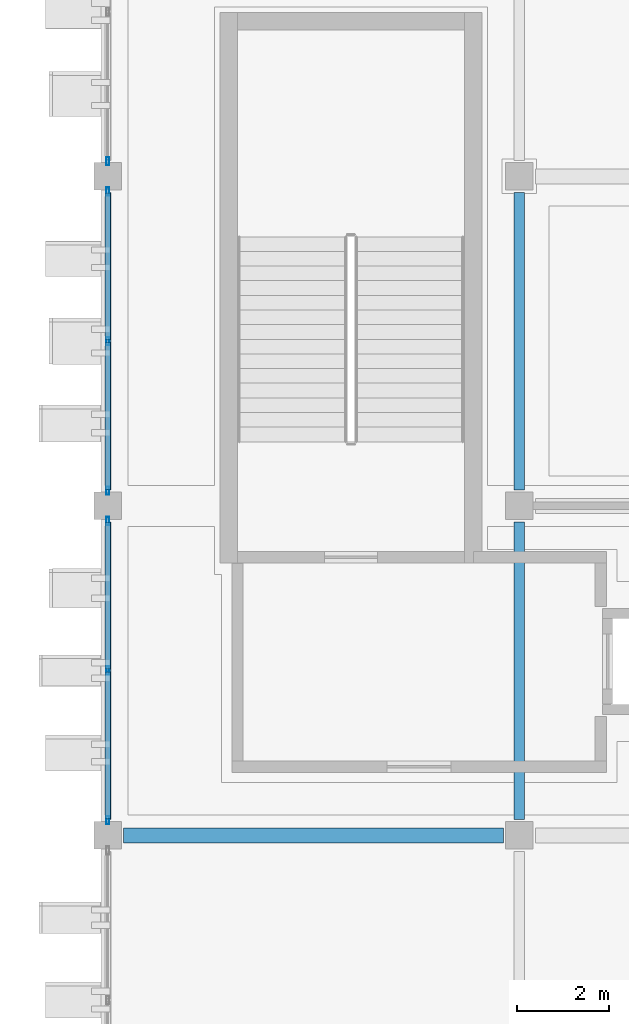
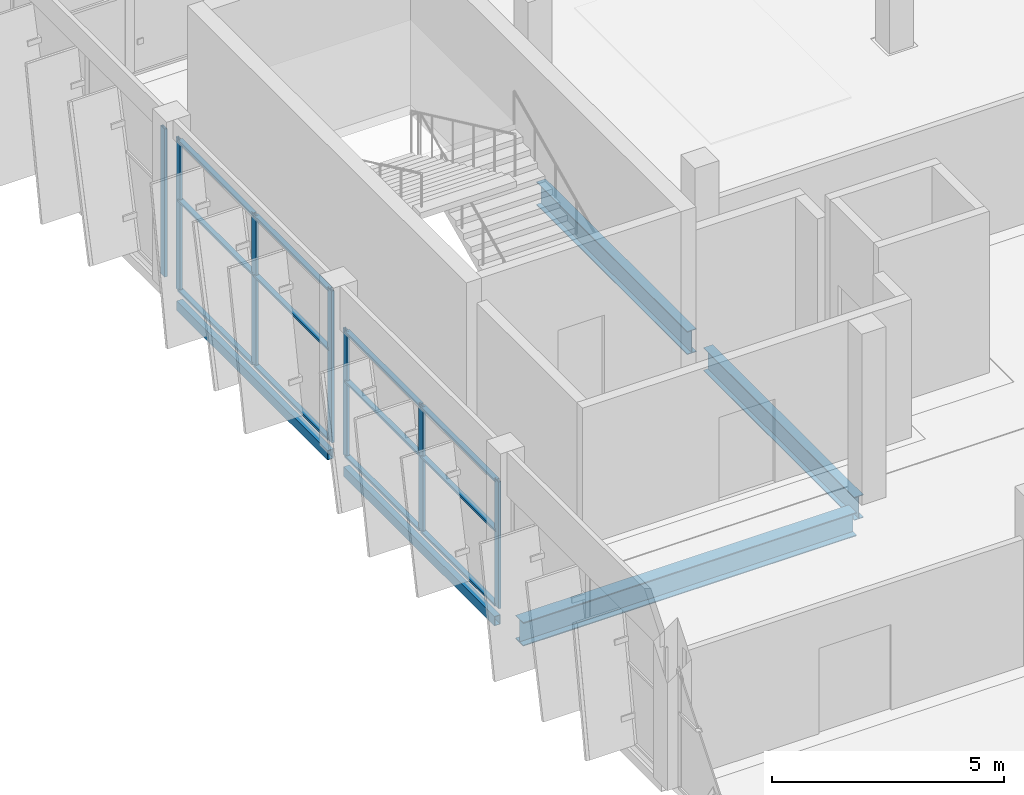
# One storey, part 63 of 124: 19 members, 5 beams, 3 elements without a shape of their own.
"""IFC4 building model written with IfcOpenShell, lengths in metres."""

from ifc_helpers import new_model, si_unit, direction, frame, origin, origin_2d, place, context, subcontext, project, spatial, hollow_rectangle, i_section, extrude, material, layer, layer_set, material_profile, profile_set, type_object, element, aggregate, save


model = new_model("IFC4")

# Units and contexts
model_context = context("Model", 3, precision=1e-05, world=origin(), true_north=direction((0.0, 1.0)))
body_context = subcontext(model_context, "Body", "Model", "MODEL_VIEW")
ifc_project = project(units=[si_unit("LENGTHUNIT", "METRE"), si_unit("AREAUNIT", "SQUARE_METRE"), si_unit("VOLUMEUNIT", "CUBIC_METRE"), si_unit("PLANEANGLEUNIT", "RADIAN"), si_unit("MASSUNIT", "GRAM", prefix="KILO")], contexts=[model_context])

# Site, building, storey
site_placement = place(None, origin())
site = spatial("IfcSite", under=ifc_project, at=site_placement, CompositionType="ELEMENT")
building_placement = place(site_placement, origin())
building = spatial("IfcBuilding", under=site, at=building_placement, Name="Celestram Park Convention Centre", CompositionType="ELEMENT")
storey_placement = place(building_placement, frame((0.0, 0.0, 15.300048828125)))
storey = spatial("IfcBuildingStorey", under=building, at=storey_placement, Name="L03", CompositionType="ELEMENT", Elevation=15.300048828125)

# Curtain wall, members
ifc_material_1 = material(Name="Anodised Aluminium Alloy 6063-T6", Category="aluminium")
ifc_layer_1 = layer(ifc_material_1, 0.179931640625)
ifc_layer_set_1 = layer_set([ifc_layer_1], Name="Anodised Aluminium Alloy 6063-T6")
curtain_wall_type_1 = type_object("IfcCurtainWallType", Name="ARC-CW-660X334", PredefinedType="NOTDEFINED", material=ifc_layer_set_1)
curtain_wall_1_placement = place(storey_placement, origin())
curtain_wall_1 = element("IfcCurtainWall", 1, at=curtain_wall_1_placement, inside=storey, type_object=curtain_wall_type_1, Name="Unitised curtain wall CU-L03-200", PredefinedType="NOTDEFINED")
ifc_material_profile_1 = material_profile(ifc_material_1, hollow_rectangle(XDim=0.06494140625, YDim=0.179931640625, WallThickness=0.00390625, at=origin_2d()), Name="ALU65X180X4")
ifc_profile_set_1 = profile_set([ifc_material_profile_1], Name="Anodised Aluminium Alloy 6063-T6")
member_type_1 = type_object("IfcMemberType", Name="ARC-CWM-150", PredefinedType="MULLION", material=ifc_profile_set_1)
member_1_placement = place(storey_placement, frame((36.0, 144.33056640625, 0.0), z_axis=(0.0, 0.0, 1.0), x_axis=(-1.0, 0.0, 0.0)))
member_1 = element("IfcMember", 2, at=member_1_placement, type_object=member_type_1, Name="CW-66X33 mullion 1", PredefinedType="MULLION", context=body_context, shape_type="SweptSolid", body=[
    extrude(hollow_rectangle(XDim=0.06494140625, YDim=0.179931640625, WallThickness=0.00390625, at=origin_2d()), origin(), (0.0, 0.0, 1.0), 3.3359375),
])
member_2_placement = place(storey_placement, frame((36.0, 147.60009765625, 0.0), z_axis=(0.0, 0.0, 1.0), x_axis=(-1.0, 0.0, 0.0)))
member_2 = element("IfcMember", 3, at=member_2_placement, type_object=member_type_1, Name="CW-66X33 mullion 2", PredefinedType="MULLION", context=body_context, shape_type="SweptSolid", body=[
    extrude(hollow_rectangle(XDim=0.06494140625, YDim=0.179931640625, WallThickness=0.00390625, at=origin_2d()), origin(), (0.0, 0.0, 1.0), 3.3359375),
])
member_3_placement = place(storey_placement, frame((36.0, 150.869384765625, 0.0), z_axis=(0.0, 0.0, 1.0), x_axis=(-1.0, 0.0, 0.0)))
member_3 = element("IfcMember", 4, at=member_3_placement, type_object=member_type_1, Name="CW-66X33 mullion 3", PredefinedType="MULLION", context=body_context, shape_type="SweptSolid", body=[
    extrude(hollow_rectangle(XDim=0.06494140625, YDim=0.179931640625, WallThickness=0.00390625, at=origin_2d()), origin(), (0.0, 0.0, 1.0), 3.3359375),
])

ifc_layer_2 = layer(ifc_material_1, 0.179931640625)
ifc_layer_set_2 = layer_set([ifc_layer_2], Name="Anodised Aluminium Alloy 6063-T6")
curtain_wall_type_2 = type_object("IfcCurtainWallType", Name="ARC-CW-660X400", PredefinedType="NOTDEFINED", material=ifc_layer_set_2)
curtain_wall_2_placement = place(storey_placement, origin())
curtain_wall_2 = element("IfcCurtainWall", 5, at=curtain_wall_2_placement, inside=storey, type_object=curtain_wall_type_2, Name="Unitised curtain wall CU-L03-201", PredefinedType="NOTDEFINED")
member_4_placement = place(storey_placement, frame((36.0, 151.530517578125, 0.0), z_axis=(0.0, 0.0, 1.0), x_axis=(-1.0, 0.0, 0.0)))
member_4 = element("IfcMember", 6, at=member_4_placement, type_object=member_type_1, Name="CW-66X40 mullion 1", PredefinedType="MULLION", context=body_context, shape_type="SweptSolid", body=[
    extrude(hollow_rectangle(XDim=0.06494140625, YDim=0.179931640625, WallThickness=0.00390625, at=origin_2d()), origin(), (0.0, 0.0, 1.0), 4.0),
])
member_5_placement = place(storey_placement, frame((36.0, 154.800048828125, 0.0), z_axis=(0.0, 0.0, 1.0), x_axis=(-1.0, 0.0, 0.0)))
member_5 = element("IfcMember", 7, at=member_5_placement, type_object=member_type_1, Name="CW-66X40 mullion 2", PredefinedType="MULLION", context=body_context, shape_type="SweptSolid", body=[
    extrude(hollow_rectangle(XDim=0.06494140625, YDim=0.179931640625, WallThickness=0.00390625, at=origin_2d()), origin(), (0.0, 0.0, 1.0), 4.0),
])
member_6_placement = place(storey_placement, frame((36.0, 158.069580078125, 0.0), z_axis=(0.0, 0.0, 1.0), x_axis=(-1.0, 0.0, 0.0)))
member_6 = element("IfcMember", 8, at=member_6_placement, type_object=member_type_1, Name="CW-66X40 mullion 3", PredefinedType="MULLION", context=body_context, shape_type="SweptSolid", body=[
    extrude(hollow_rectangle(XDim=0.06494140625, YDim=0.179931640625, WallThickness=0.00390625, at=origin_2d()), origin(), (0.0, 0.0, 1.0), 4.0),
])

# Curtain wall, member
ifc_layer_3 = layer(ifc_material_1, 0.179931640625)
ifc_layer_set_3 = layer_set([ifc_layer_3], Name="Anodised Aluminium Alloy 6063-T6")
curtain_wall_type_3 = type_object("IfcCurtainWallType", Name="ARC-CW-660X389", PredefinedType="NOTDEFINED", material=ifc_layer_set_3)
curtain_wall_3_placement = place(storey_placement, origin())
curtain_wall_3 = element("IfcCurtainWall", 9, at=curtain_wall_3_placement, inside=storey, type_object=curtain_wall_type_3, Name="Unitised curtain wall CU-L03-202", PredefinedType="NOTDEFINED")
member_7_placement = place(storey_placement, frame((36.0, 158.73046875, 0.0), z_axis=(0.0, 0.0, 1.0), x_axis=(-1.0, 0.0, 0.0)))
member_7 = element("IfcMember", 10, at=member_7_placement, type_object=member_type_1, Name="CW-66X38 mullion 1", PredefinedType="MULLION", context=body_context, shape_type="SweptSolid", body=[
    extrude(hollow_rectangle(XDim=0.06494140625, YDim=0.179931640625, WallThickness=0.00390625, at=origin_2d()), origin(), (0.0, 0.0, 1.0), 3.89404296875),
])
aggregate(curtain_wall_3, [member_7])

# Member
ifc_material_profile_2 = material_profile(ifc_material_1, hollow_rectangle(XDim=0.1201171875, YDim=0.06005859375, WallThickness=0.0029296875, at=origin_2d()), Name="ALU120X60X3")
ifc_profile_set_2 = profile_set([ifc_material_profile_2], Name="Anodised Aluminium Alloy 6063-T6")
member_type_2 = type_object("IfcMemberType", Name="ARC-CWT-120", PredefinedType="USERDEFINED", material=ifc_profile_set_2)
member_8_placement = place(storey_placement, frame((36.0, 144.363037109375, 0.030029296875), z_axis=(0.0, 1.0, 0.0), x_axis=(-1.0, 0.0, 0.0)))
member_8 = element("IfcMember", 11, at=member_8_placement, type_object=member_type_2, Name="CW-66X33 transom 1.1", ObjectType="TRANSOM", PredefinedType="USERDEFINED", context=body_context, shape_type="SweptSolid", body=[
    extrude(hollow_rectangle(XDim=0.1201171875, YDim=0.06005859375, WallThickness=0.0029296875, at=origin_2d()), origin(), (0.0, 0.0, 1.0), 3.204345703125),
])

member_9_placement = place(storey_placement, frame((36.0, 144.363037109375, 2.001953125), z_axis=(0.0, 1.0, 0.0), x_axis=(-1.0, 0.0, 0.0)))
member_9 = element("IfcMember", 12, at=member_9_placement, type_object=member_type_2, Name="CW-66X33 transom 1.2", ObjectType="TRANSOM", PredefinedType="USERDEFINED", context=body_context, shape_type="SweptSolid", body=[
    extrude(hollow_rectangle(XDim=0.1201171875, YDim=0.06005859375, WallThickness=0.0029296875, at=origin_2d()), origin(), (0.0, 0.0, 1.0), 3.204345703125),
])

member_10_placement = place(storey_placement, frame((36.0, 144.363037109375, 3.305908203125), z_axis=(0.0, 1.0, 0.0), x_axis=(-1.0, 0.0, 0.0)))
member_10 = element("IfcMember", 13, at=member_10_placement, type_object=member_type_2, Name="CW-66X33 transom 1.3", ObjectType="TRANSOM", PredefinedType="USERDEFINED", context=body_context, shape_type="SweptSolid", body=[
    extrude(hollow_rectangle(XDim=0.1201171875, YDim=0.06005859375, WallThickness=0.0029296875, at=origin_2d()), origin(), (0.0, 0.0, 1.0), 3.204345703125),
])

member_11_placement = place(storey_placement, frame((36.0, 147.632568359375, 0.030029296875), z_axis=(0.0, 1.0, 0.0), x_axis=(-1.0, 0.0, 0.0)))
member_11 = element("IfcMember", 14, at=member_11_placement, type_object=member_type_2, Name="CW-66X33 transom 2.1", ObjectType="TRANSOM", PredefinedType="USERDEFINED", context=body_context, shape_type="SweptSolid", body=[
    extrude(hollow_rectangle(XDim=0.1201171875, YDim=0.06005859375, WallThickness=0.0029296875, at=origin_2d()), origin(), (0.0, 0.0, 1.0), 3.204345703125),
])

member_12_placement = place(storey_placement, frame((36.0, 147.632568359375, 2.001953125), z_axis=(0.0, 1.0, 0.0), x_axis=(-1.0, 0.0, 0.0)))
member_12 = element("IfcMember", 15, at=member_12_placement, type_object=member_type_2, Name="CW-66X33 transom 2.2", ObjectType="TRANSOM", PredefinedType="USERDEFINED", context=body_context, shape_type="SweptSolid", body=[
    extrude(hollow_rectangle(XDim=0.1201171875, YDim=0.06005859375, WallThickness=0.0029296875, at=origin_2d()), origin(), (0.0, 0.0, 1.0), 3.204345703125),
])

member_13_placement = place(storey_placement, frame((36.0, 147.632568359375, 3.305908203125), z_axis=(0.0, 1.0, 0.0), x_axis=(-1.0, 0.0, 0.0)))
member_13 = element("IfcMember", 16, at=member_13_placement, type_object=member_type_2, Name="CW-66X33 transom 2.3", ObjectType="TRANSOM", PredefinedType="USERDEFINED", context=body_context, shape_type="SweptSolid", body=[
    extrude(hollow_rectangle(XDim=0.1201171875, YDim=0.06005859375, WallThickness=0.0029296875, at=origin_2d()), origin(), (0.0, 0.0, 1.0), 3.204345703125),
])

aggregate(curtain_wall_1, [member_1, member_2, member_3, member_8, member_9, member_10, member_11, member_12, member_13])

member_14_placement = place(storey_placement, frame((36.0, 151.56298828125, 0.030029296875), z_axis=(0.0, 1.0, 0.0), x_axis=(-1.0, 0.0, 0.0)))
member_14 = element("IfcMember", 17, at=member_14_placement, type_object=member_type_2, Name="CW-66X40 transom 1.1", ObjectType="TRANSOM", PredefinedType="USERDEFINED", context=body_context, shape_type="SweptSolid", body=[
    extrude(hollow_rectangle(XDim=0.1201171875, YDim=0.06005859375, WallThickness=0.0029296875, at=origin_2d()), origin(), (0.0, 0.0, 1.0), 3.20458984375),
])

member_15_placement = place(storey_placement, frame((36.0, 151.56298828125, 2.39990234375), z_axis=(0.0, 1.0, 0.0), x_axis=(-1.0, 0.0, 0.0)))
member_15 = element("IfcMember", 18, at=member_15_placement, type_object=member_type_2, Name="CW-66X40 transom 1.2", ObjectType="TRANSOM", PredefinedType="USERDEFINED", context=body_context, shape_type="SweptSolid", body=[
    extrude(hollow_rectangle(XDim=0.1201171875, YDim=0.06005859375, WallThickness=0.0029296875, at=origin_2d()), origin(), (0.0, 0.0, 1.0), 3.20458984375),
])

member_16_placement = place(storey_placement, frame((36.0, 151.56298828125, 3.969970703125), z_axis=(0.0, 1.0, 0.0), x_axis=(-1.0, 0.0, 0.0)))
member_16 = element("IfcMember", 19, at=member_16_placement, type_object=member_type_2, Name="CW-66X40 transom 1.3", ObjectType="TRANSOM", PredefinedType="USERDEFINED", context=body_context, shape_type="SweptSolid", body=[
    extrude(hollow_rectangle(XDim=0.1201171875, YDim=0.06005859375, WallThickness=0.0029296875, at=origin_2d()), origin(), (0.0, 0.0, 1.0), 3.20458984375),
])

member_17_placement = place(storey_placement, frame((36.0, 154.83251953125, 0.030029296875), z_axis=(0.0, 1.0, 0.0), x_axis=(-1.0, 0.0, 0.0)))
member_17 = element("IfcMember", 20, at=member_17_placement, type_object=member_type_2, Name="CW-66X40 transom 2.1", ObjectType="TRANSOM", PredefinedType="USERDEFINED", context=body_context, shape_type="SweptSolid", body=[
    extrude(hollow_rectangle(XDim=0.1201171875, YDim=0.06005859375, WallThickness=0.0029296875, at=origin_2d()), origin(), (0.0, 0.0, 1.0), 3.20458984375),
])

member_18_placement = place(storey_placement, frame((36.0, 154.83251953125, 2.39990234375), z_axis=(0.0, 1.0, 0.0), x_axis=(-1.0, 0.0, 0.0)))
member_18 = element("IfcMember", 21, at=member_18_placement, type_object=member_type_2, Name="CW-66X40 transom 2.2", ObjectType="TRANSOM", PredefinedType="USERDEFINED", context=body_context, shape_type="SweptSolid", body=[
    extrude(hollow_rectangle(XDim=0.1201171875, YDim=0.06005859375, WallThickness=0.0029296875, at=origin_2d()), origin(), (0.0, 0.0, 1.0), 3.20458984375),
])

member_19_placement = place(storey_placement, frame((36.0, 154.83251953125, 3.969970703125), z_axis=(0.0, 1.0, 0.0), x_axis=(-1.0, 0.0, 0.0)))
member_19 = element("IfcMember", 22, at=member_19_placement, type_object=member_type_2, Name="CW-66X40 transom 2.3", ObjectType="TRANSOM", PredefinedType="USERDEFINED", context=body_context, shape_type="SweptSolid", body=[
    extrude(hollow_rectangle(XDim=0.1201171875, YDim=0.06005859375, WallThickness=0.0029296875, at=origin_2d()), origin(), (0.0, 0.0, 1.0), 3.20458984375),
])

aggregate(curtain_wall_2, [member_4, member_5, member_6, member_14, member_15, member_16, member_17, member_18, member_19])

# Beams
ifc_material_2 = material(Name="Steel ASTM A992 Grade 50", Category="steel")
ifc_material_profile_3 = material_profile(ifc_material_2, i_section(OverallWidth=0.327880859375, OverallDepth=0.6220703125, WebThickness=0.015380859375, FlangeThickness=0.0244140625, at=origin_2d()), Name="W24X131")
ifc_profile_set_3 = profile_set([ifc_material_profile_3], Name="Steel ASTM A992 Grade 50")
beam_type_1 = type_object("IfcBeamType", Name="STR-BM-W24X131", PredefinedType="BEAM", material=ifc_profile_set_3)
beam_1_placement = place(storey_placement, frame((36.347900390625, 144.0, -0.56103515625), z_axis=(1.0, 0.0, 0.0), x_axis=(0.0, 1.0, 0.0)))
element("IfcBeam", 23, at=beam_1_placement, inside=storey, type_object=beam_type_1, Name="Primary X-girder BG-L03-0010", PredefinedType="BEAM", context=body_context, shape_type="SweptSolid", body=[
    extrude(i_section(OverallWidth=0.327880859375, OverallDepth=0.6220703125, WebThickness=0.015380859375, FlangeThickness=0.0244140625, at=origin_2d()), origin(), (0.0, 0.0, 1.0), 8.30419921875),
])
ifc_material_profile_4 = material_profile(ifc_material_2, i_section(OverallWidth=0.22900390625, OverallDepth=0.612060546875, WebThickness=0.011962890625, FlangeThickness=0.01953125, at=origin_2d()), Name="W24X84")
ifc_profile_set_4 = profile_set([ifc_material_profile_4], Name="Steel ASTM A992 Grade 50")
beam_type_2 = type_object("IfcBeamType", Name="STR-BM-W24X84", PredefinedType="BEAM", material=ifc_profile_set_4)
beam_2_placement = place(storey_placement, frame((45.0, 144.347900390625, -0.55615234375), z_axis=(0.0, 1.0, 0.0), x_axis=(-1.0, 0.0, 0.0)))
element("IfcBeam", 24, at=beam_2_placement, inside=storey, type_object=beam_type_2, Name="Primary Y-girder BG-L03-0025", PredefinedType="BEAM", context=body_context, shape_type="SweptSolid", body=[
    extrude(i_section(OverallWidth=0.22900390625, OverallDepth=0.612060546875, WebThickness=0.011962890625, FlangeThickness=0.01953125, at=origin_2d()), origin(), (0.0, 0.0, 1.0), 6.504150390625),
])
beam_3_placement = place(storey_placement, frame((45.0, 151.548095703125, -0.55615234375), z_axis=(0.0, 1.0, 0.0), x_axis=(-1.0, 0.0, 0.0)))
element("IfcBeam", 25, at=beam_3_placement, inside=storey, type_object=beam_type_2, Name="Primary Y-girder BG-L03-0027", PredefinedType="BEAM", context=body_context, shape_type="SweptSolid", body=[
    extrude(i_section(OverallWidth=0.22900390625, OverallDepth=0.612060546875, WebThickness=0.011962890625, FlangeThickness=0.01953125, at=origin_2d()), origin(), (0.0, 0.0, 1.0), 6.50390625),
])
ifc_material_3 = material(Name="Steel ASTM A500 Grade C", Category="steel")
ifc_material_profile_5 = material_profile(ifc_material_3, hollow_rectangle(XDim=0.14990234375, YDim=0.25, WallThickness=0.010009765625, at=origin_2d()), Name="HSS250X150X10")
ifc_profile_set_5 = profile_set([ifc_material_profile_5], Name="Steel ASTM A500 Grade C")
beam_type_3 = type_object("IfcBeamType", Name="STR-SPN-HSS250X150", PredefinedType="SPANDREL", material=ifc_profile_set_5)
beam_4_placement = place(storey_placement, frame((36.0, 144.347900390625, -0.375), z_axis=(0.0, 1.0, 0.0), x_axis=(-1.0, 0.0, 0.0)))
element("IfcBeam", 26, at=beam_4_placement, inside=storey, type_object=beam_type_3, Name="Primary Y-girder BG-L03-0011", PredefinedType="SPANDREL", context=body_context, shape_type="SweptSolid", body=[
    extrude(hollow_rectangle(XDim=0.14990234375, YDim=0.25, WallThickness=0.010009765625, at=origin_2d()), origin(), (0.0, 0.0, 1.0), 6.504150390625),
])
beam_5_placement = place(storey_placement, frame((36.0, 151.548095703125, -0.375), z_axis=(0.0, 1.0, 0.0), x_axis=(-1.0, 0.0, 0.0)))
element("IfcBeam", 27, at=beam_5_placement, inside=storey, type_object=beam_type_3, Name="Primary Y-girder BG-L03-0012", PredefinedType="SPANDREL", context=body_context, shape_type="SweptSolid", body=[
    extrude(hollow_rectangle(XDim=0.14990234375, YDim=0.25, WallThickness=0.010009765625, at=origin_2d()), origin(), (0.0, 0.0, 1.0), 6.50390625),
])

save(model, "model.ifc")
